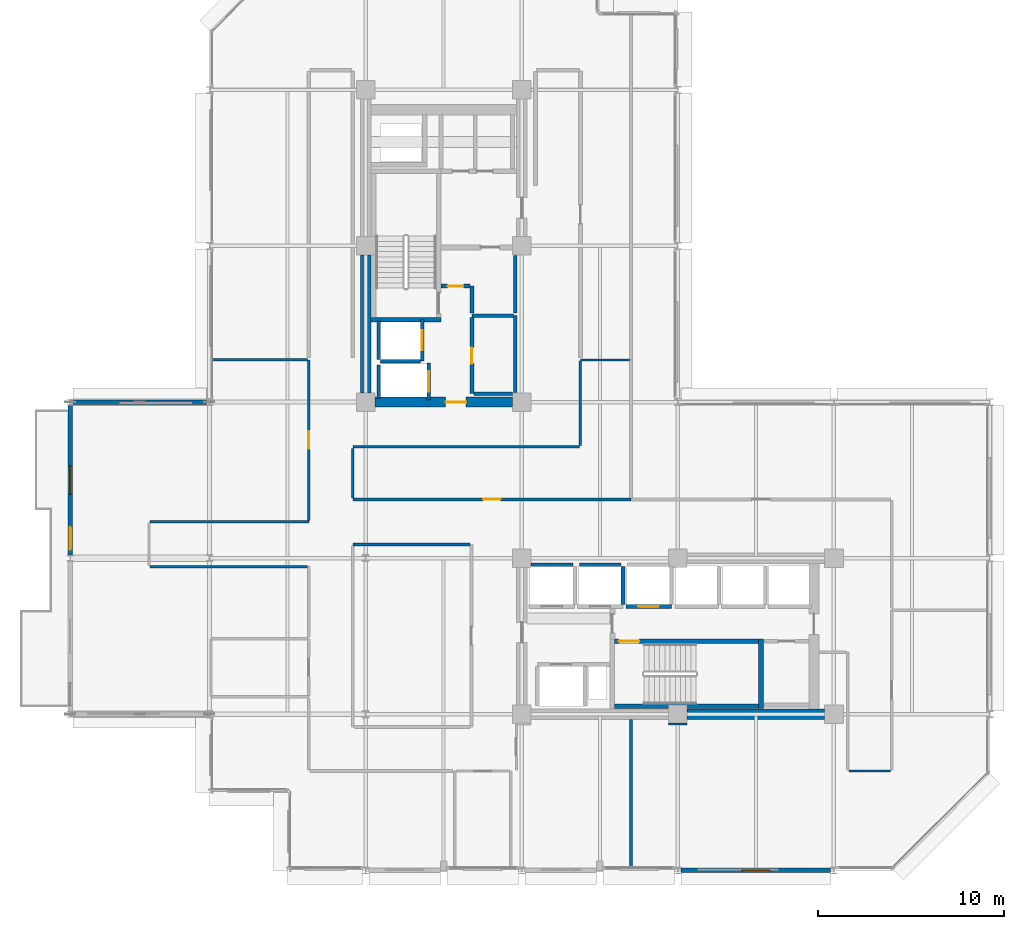
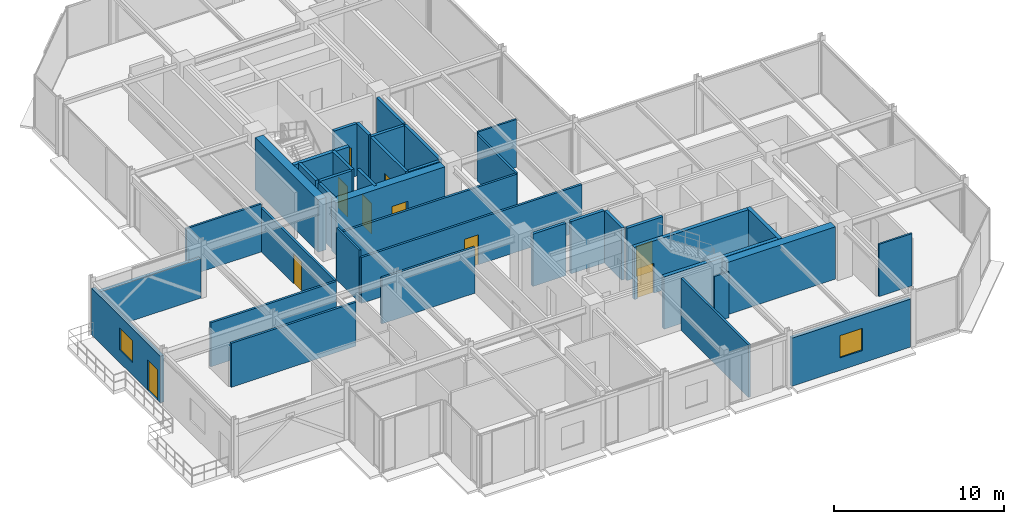
# One storey, part 25 of 30: 39 walls, 10 doors, 2 windows, 12 openings.
"""IFC4 building model written with IfcOpenShell, lengths in metres."""

from ifc_helpers import new_model, si_unit, direction, frame, frame_2d, origin, place, context, subcontext, project, spatial, rectangle, extrude, material, layer, layer_set, type_object, element, fill, save


model = new_model("IFC4")

# Units and contexts
model_context = context("Model", 3, precision=1e-05, world=origin(), true_north=direction((0.0, 1.0)))
body_context = subcontext(model_context, "Body", "Model", "MODEL_VIEW")
ifc_project = project(units=[si_unit("LENGTHUNIT", "METRE"), si_unit("AREAUNIT", "SQUARE_METRE"), si_unit("VOLUMEUNIT", "CUBIC_METRE"), si_unit("PLANEANGLEUNIT", "RADIAN"), si_unit("MASSUNIT", "GRAM", prefix="KILO")], contexts=[model_context])

# Site, building, storey
site_placement = place(None, origin())
site = spatial("IfcSite", under=ifc_project, at=site_placement, CompositionType="ELEMENT")
building_placement = place(site_placement, origin())
building = spatial("IfcBuilding", under=site, at=building_placement, Name="Nerrivon Quay Data Exchange", CompositionType="ELEMENT")
storey_placement = place(building_placement, frame((0.0, 0.0, 216.5)))
storey = spatial("IfcBuildingStorey", under=building, at=storey_placement, Name="L51", CompositionType="ELEMENT", Elevation=216.5)

# Wall, openings, door, window
ifc_material_1 = material(Name="Architectural terracotta precast concrete N50 (50 MPa)", Category="masonry")
ifc_layer_1 = layer(ifc_material_1, 0.239990234375)
ifc_layer_set_1 = layer_set([ifc_layer_1], Name="Architectural terracotta precast concrete N50 (50 MPa)")
wall_type_1 = type_object("IfcWallType", Name="EW-PREC-240", PredefinedType="STANDARD", material=ifc_layer_set_1)
wall_1_placement = place(storey_placement, frame((-7.5, 16.96337890625, 0.0), z_axis=(0.0, 0.0, 1.0), x_axis=(0.0, 1.0, 0.0)))
wall_1 = element("IfcWall", 1, at=wall_1_placement, inside=storey, type_object=wall_type_1, Name="L51 Terrace Host Wall 2", PredefinedType="STANDARD", context=body_context, shape_type="SweptSolid", body=[
    extrude(rectangle(XDim=8.0732421875, YDim=0.239990234375, at=frame_2d((4.03662109375, 0.0))), origin(), (0.0, 0.0, 1.0), 3.346923828125),
])
opening_1_placement = place(wall_1_placement, frame((0.300048828125, 0.0, 0.0)))
opening_1 = element("IfcOpeningElement", 2, at=opening_1_placement, cuts=wall_1, Name="Opening TD1", PredefinedType="OPENING", context=body_context, shape_type="SweptSolid", body=[
    extrude(rectangle(XDim=1.199951171875, YDim=2.199951171875, at=frame_2d((0.60009765625, 1.10009765625))), frame((0.0, 0.1298828125, 0.0), z_axis=(0.0, -1.0, 0.0), x_axis=(1.0, 0.0, 0.0)), (0.0, 0.0, 1.0), 0.260009765625),
])
opening_2_placement = place(wall_1_placement, frame((3.28662109375, 0.0, 0.89990234375)))
opening_2 = element("IfcOpeningElement", 3, at=opening_2_placement, cuts=wall_1, Name="Opening WN4", PredefinedType="OPENING", context=body_context, shape_type="SweptSolid", body=[
    extrude(rectangle(XDim=1.5, YDim=1.60009765625, at=frame_2d((0.75, 0.800048828125))), frame((0.0, 0.1298828125, 0.0), z_axis=(0.0, -1.0, 0.0), x_axis=(1.0, 0.0, 0.0)), (0.0, 0.0, 1.0), 0.260009765625),
])
ifc_material_2 = material(Name="Double-glazed low-E solar control glass", Category="glass")
door_type_1 = type_object("IfcDoorType", Name="DR-TERR-1200x2200", OperationType="NOTDEFINED", PredefinedType="DOOR", material=ifc_material_2)
door_1_placement = place(opening_1_placement, origin())
door_1 = element("IfcDoor", 4, at=door_1_placement, inside=storey, type_object=door_type_1, Name="L51 Outdoor Terrace Access Door 2", OperationType="SINGLE_SWING_LEFT", OverallHeight=2.199951171875, OverallWidth=1.199951171875, PredefinedType="DOOR", context=body_context, shape_type="SweptSolid", body=[
    extrude(rectangle(XDim=1.199951171875, YDim=2.199951171875, at=frame_2d((0.60009765625, 1.10009765625))), frame((0.0, 0.02490234375, 0.0), z_axis=(0.0, -1.0, 0.0), x_axis=(1.0, 0.0, 0.0)), (0.0, 0.0, 1.0), 0.050048828125),
])
fill(opening_1, door_1)
window_type = type_object("IfcWindowType", Name="WIN-W4-1500x1600", PartitioningType="SINGLE_PANEL", PredefinedType="WINDOW", material=ifc_material_2)
window_1_placement = place(opening_2_placement, origin())
window_1 = element("IfcWindow", 5, at=window_1_placement, inside=storey, type_object=window_type, Name="L51 Terrace Side Window 2", OverallHeight=1.60009765625, OverallWidth=1.5, PartitioningType="SINGLE_PANEL", PredefinedType="WINDOW", context=body_context, shape_type="SweptSolid", body=[
    extrude(rectangle(XDim=1.5, YDim=1.60009765625, at=frame_2d((0.75, 0.800048828125))), frame((0.0, 0.030029296875, 0.0), z_axis=(0.0, -1.0, 0.0), x_axis=(1.0, 0.0, 0.0)), (0.0, 0.0, 1.0), 0.06005859375),
])
fill(opening_2, window_1)

# Wall
wall_2_placement = place(storey_placement, frame((-7.344482421875, 25.199951171875, 0.0), z_axis=(0.0, 0.0, 1.0), x_axis=(1.0, 0.0, 0.0)))
element("IfcWall", 6, at=wall_2_placement, inside=storey, type_object=wall_type_1, Name="L51 Plant Enclosure Wall 3", PredefinedType="STANDARD", context=body_context, shape_type="SweptSolid", body=[
    extrude(rectangle(XDim=7.16943359375, YDim=0.239990234375, at=frame_2d((3.584716796875, 0.0))), origin(), (0.0, 0.0, 1.0), 2.840087890625),
])

# Wall, opening, window
wall_3_placement = place(storey_placement, frame((33.425048828125, 0.0, 0.0), z_axis=(0.0, 0.0, 1.0), x_axis=(-1.0, 0.0, 0.0)))
wall_3 = element("IfcWall", 7, at=wall_3_placement, inside=storey, type_object=wall_type_1, Name="L51 Podium Precast Spandrel Wall 23", PredefinedType="STANDARD", context=body_context, shape_type="SweptSolid", body=[
    extrude(rectangle(XDim=8.050048828125, YDim=0.239990234375, at=frame_2d((4.02490234375, 0.0))), origin(), (0.0, 0.0, 1.0), 3.449951171875),
])
opening_3_placement = place(wall_3_placement, frame((3.27490234375, 0.0, 0.89990234375)))
opening_3 = element("IfcOpeningElement", 8, at=opening_3_placement, cuts=wall_3, Name="Opening WN4", PredefinedType="OPENING", context=body_context, shape_type="SweptSolid", body=[
    extrude(rectangle(XDim=1.5, YDim=1.60009765625, at=frame_2d((0.75, 0.800048828125))), frame((0.0, 0.1298828125, 0.0), z_axis=(0.0, -1.0, 0.0), x_axis=(1.0, 0.0, 0.0)), (0.0, 0.0, 1.0), 0.260009765625),
])
window_2_placement = place(opening_3_placement, origin())
window_2 = element("IfcWindow", 9, at=window_2_placement, inside=storey, type_object=window_type, Name="L51 Solar Facade Window 23", OverallHeight=1.60009765625, OverallWidth=1.5, PartitioningType="SINGLE_PANEL", PredefinedType="WINDOW", context=body_context, shape_type="SweptSolid", body=[
    extrude(rectangle(XDim=1.5, YDim=1.60009765625, at=frame_2d((0.75, 0.800048828125))), frame((0.0, 0.030029296875, 0.0), z_axis=(0.0, -1.0, 0.0), x_axis=(1.0, 0.0, 0.0)), (0.0, 0.0, 1.0), 0.06005859375),
])
fill(opening_3, window_2)

# Wall
ifc_material_3 = material(Name="Concrete S65 (65 MPa)", Category="concrete")
ifc_layer_2 = layer(ifc_material_3, 0.550048828125)
ifc_layer_set_2 = layer_set([ifc_layer_2], Name="Concrete S65 (65 MPa)")
wall_type_2 = type_object("IfcWallType", Name="WALL-CW-700", PredefinedType="SHEAR", material=ifc_layer_set_2)
wall_4_placement = place(storey_placement, frame((8.39990234375, 25.699951171875, 0.0), z_axis=(0.0, 0.0, 1.0), x_axis=(0.0, 1.0, 0.0)))
element("IfcWall", 10, at=wall_4_placement, inside=storey, type_object=wall_type_2, Name="L51 West Split-Core Shear Wall WCW-W1", PredefinedType="SHEAR", context=body_context, shape_type="SweptSolid", body=[
    extrude(rectangle(XDim=7.400146484375, YDim=0.550048828125, at=frame_2d((3.7001953125, 0.0))), origin(), (0.0, 0.0, 1.0), 3.75),
])

# Wall, opening, door
wall_5_placement = place(storey_placement, frame((8.89990234375, 25.199951171875, 0.0), z_axis=(0.0, 0.0, 1.0), x_axis=(1.0, 0.0, 0.0)))
wall_5 = element("IfcWall", 11, at=wall_5_placement, inside=storey, type_object=wall_type_2, Name="L51 West Split-Core Shear Wall WCW-S1", PredefinedType="SHEAR", context=body_context, shape_type="SweptSolid", body=[
    extrude(rectangle(XDim=7.400146484375, YDim=0.550048828125, at=frame_2d((3.7001953125, 0.0))), origin(), (0.0, 0.0, 1.0), 3.75),
])
opening_4_placement = place(wall_5_placement, frame((3.800048828125, 0.0, 0.0)))
opening_4 = element("IfcOpeningElement", 12, at=opening_4_placement, cuts=wall_5, Name="Opening FD-120", PredefinedType="OPENING", context=body_context, shape_type="SweptSolid", body=[
    extrude(rectangle(XDim=1.10009765625, YDim=2.14990234375, at=frame_2d((0.550048828125, 1.074951171875))), frame((0.0, 0.284912109375, 0.0), z_axis=(0.0, -1.0, 0.0), x_axis=(1.0, 0.0, 0.0)), (0.0, 0.0, 1.0), 0.570068359375),
])
ifc_material_4 = material(Name="Powder-coated galvanized steel sheet", Category="steel")
door_type_2 = type_object("IfcDoorType", Name="DR-FD120-1100", OperationType="NOTDEFINED", PredefinedType="DOOR", material=ifc_material_4)
door_2_placement = place(opening_4_placement, origin())
door_2 = element("IfcDoor", 13, at=door_2_placement, inside=storey, type_object=door_type_2, Name="L51 West Core Lobby Fire Door", OperationType="SINGLE_SWING_RIGHT", OverallHeight=2.14990234375, OverallWidth=1.10009765625, PredefinedType="DOOR", context=body_context, shape_type="SweptSolid", body=[
    extrude(rectangle(XDim=1.10009765625, YDim=2.14990234375, at=frame_2d((0.550048828125, 1.074951171875))), frame((0.0, 0.02490234375, 0.0), z_axis=(0.0, -1.0, 0.0), x_axis=(1.0, 0.0, 0.0)), (0.0, 0.0, 1.0), 0.050048828125),
])
fill(opening_4, door_2)

# Wall
wall_6_placement = place(storey_placement, frame((25.699951171875, 8.39990234375, 0.0), z_axis=(0.0, 0.0, 1.0), x_axis=(1.0, 0.0, 0.0)))
element("IfcWall", 14, at=wall_6_placement, inside=storey, type_object=wall_type_2, Name="L51 East Split-Core Shear Wall ECW-S2", PredefinedType="SHEAR", context=body_context, shape_type="SweptSolid", body=[
    extrude(rectangle(XDim=7.400146484375, YDim=0.550048828125, at=frame_2d((3.7001953125, 0.0))), origin(), (0.0, 0.0, 1.0), 3.75),
])

# Wall, opening, door
ifc_material_5 = material(Name="Gypsum plasterboard on cold-formed framing", Category="gypsum")
ifc_layer_3 = layer(ifc_material_5, 0.199951171875)
ifc_layer_set_3 = layer_set([ifc_layer_3], Name="Gypsum plasterboard on cold-formed framing")
wall_type_3 = type_object("IfcWallType", Name="WALL-FW-200", PredefinedType="PARTITIONING", material=ifc_layer_set_3)
wall_7_placement = place(storey_placement, frame((11.449951171875, 27.39990234375, 0.0), z_axis=(0.0, 0.0, 1.0), x_axis=(0.0, 1.0, 0.0)))
wall_7 = element("IfcWall", 15, at=wall_7_placement, inside=storey, type_object=wall_type_3, Name="L51 Lift Front Wall FFL-1", PredefinedType="PARTITIONING", context=body_context, shape_type="SweptSolid", body=[
    extrude(rectangle(XDim=2.25, YDim=0.199951171875, at=frame_2d((1.125, 0.0))), origin(), (0.0, 0.0, 1.0), 3.75),
])
opening_5_placement = place(wall_7_placement, frame((0.574951171875, 0.0, 0.0)))
opening_5 = element("IfcOpeningElement", 16, at=opening_5_placement, cuts=wall_7, Name="Opening LD-120", PredefinedType="OPENING", context=body_context, shape_type="SweptSolid", body=[
    extrude(rectangle(XDim=1.10009765625, YDim=2.199951171875, at=frame_2d((0.550048828125, 1.10009765625))), frame((0.0, 0.10986328125, 0.0), z_axis=(0.0, -1.0, 0.0), x_axis=(1.0, 0.0, 0.0)), (0.0, 0.0, 1.0), 0.219970703125),
])
door_type_3 = type_object("IfcDoorType", Name="DR-LIFT-LD120", OperationType="DOUBLE_DOOR_SLIDING", PredefinedType="DOOR", material=ifc_material_4)
door_3_placement = place(opening_5_placement, origin())
door_3 = element("IfcDoor", 17, at=door_3_placement, inside=storey, type_object=door_type_3, Name="L51 Lift Landing Sliding Door FFL-1", OperationType="DOUBLE_DOOR_SLIDING", OverallHeight=2.199951171875, OverallWidth=1.10009765625, PredefinedType="DOOR", context=body_context, shape_type="SweptSolid", body=[
    extrude(rectangle(XDim=1.10009765625, YDim=2.199951171875, at=frame_2d((0.550048828125, 1.10009765625))), frame((0.0, 0.02490234375, 0.0), z_axis=(0.0, -1.0, 0.0), x_axis=(1.0, 0.0, 0.0)), (0.0, 0.0, 1.0), 0.050048828125),
])
fill(opening_5, door_3)

# Walls
wall_8_placement = place(storey_placement, frame((9.10009765625, 27.5, 0.0), z_axis=(0.0, 0.0, 1.0), x_axis=(0.0, 1.0, 0.0)))
element("IfcWall", 18, at=wall_8_placement, inside=storey, type_object=wall_type_3, Name="L51 Lift Shaft Wall FFL-1 WEST", PredefinedType="PARTITIONING", context=body_context, shape_type="SweptSolid", body=[
    extrude(rectangle(XDim=2.050048828125, YDim=0.199951171875, at=frame_2d((1.02490234375, 0.0))), origin(), (0.0, 0.0, 1.0), 3.75),
])
wall_9_placement = place(storey_placement, frame((9.199951171875, 27.39990234375, 0.0), z_axis=(0.0, 0.0, 1.0), x_axis=(1.0, 0.0, 0.0)))
element("IfcWall", 19, at=wall_9_placement, inside=storey, type_object=wall_type_3, Name="L51 Lift Shaft Wall FFL-1 SOUTH", PredefinedType="PARTITIONING", context=body_context, shape_type="SweptSolid", body=[
    extrude(rectangle(XDim=2.150146484375, YDim=0.199951171875, at=frame_2d((1.0751953125, 0.0))), origin(), (0.0, 0.0, 1.0), 3.75),
])

# Wall, opening, door
wall_10_placement = place(storey_placement, frame((11.800048828125, 25.300048828125, 0.0), z_axis=(0.0, 0.0, 1.0), x_axis=(0.0, 1.0, 0.0)))
wall_10 = element("IfcWall", 20, at=wall_10_placement, inside=storey, type_object=wall_type_3, Name="L51 Lift Front Wall SVL-1", PredefinedType="PARTITIONING", context=body_context, shape_type="SweptSolid", body=[
    extrude(rectangle(XDim=2.0, YDim=0.199951171875, at=frame_2d((1.0, 0.0))), origin(), (0.0, 0.0, 1.0), 3.75),
])
opening_6_placement = place(wall_10_placement, frame((0.449951171875, 0.0, 0.0)))
opening_6 = element("IfcOpeningElement", 21, at=opening_6_placement, cuts=wall_10, Name="Opening LD-120", PredefinedType="OPENING", context=body_context, shape_type="SweptSolid", body=[
    extrude(rectangle(XDim=1.10009765625, YDim=2.199951171875, at=frame_2d((0.550048828125, 1.10009765625))), frame((0.0, 0.10986328125, 0.0), z_axis=(0.0, -1.0, 0.0), x_axis=(1.0, 0.0, 0.0)), (0.0, 0.0, 1.0), 0.219970703125),
])
door_4_placement = place(opening_6_placement, origin())
door_4 = element("IfcDoor", 22, at=door_4_placement, inside=storey, type_object=door_type_3, Name="L51 Lift Landing Sliding Door SVL-1", OperationType="DOUBLE_DOOR_SLIDING", OverallHeight=2.199951171875, OverallWidth=1.10009765625, PredefinedType="DOOR", context=body_context, shape_type="SweptSolid", body=[
    extrude(rectangle(XDim=1.10009765625, YDim=2.199951171875, at=frame_2d((0.550048828125, 1.10009765625))), frame((0.0, 0.02490234375, 0.0), z_axis=(0.0, -1.0, 0.0), x_axis=(1.0, 0.0, 0.0)), (0.0, 0.0, 1.0), 0.050048828125),
])
fill(opening_6, door_4)

# Walls
wall_11_placement = place(storey_placement, frame((9.10009765625, 25.39990234375, 0.0), z_axis=(0.0, 0.0, 1.0), x_axis=(0.0, 1.0, 0.0)))
element("IfcWall", 23, at=wall_11_placement, inside=storey, type_object=wall_type_3, Name="L51 Lift Shaft Wall SVL-1 WEST", PredefinedType="PARTITIONING", context=body_context, shape_type="SweptSolid", body=[
    extrude(rectangle(XDim=1.800048828125, YDim=0.199951171875, at=frame_2d((0.89990234375, 0.0))), origin(), (0.0, 0.0, 1.0), 3.75),
])
wall_12_placement = place(storey_placement, frame((17.300048828125, 16.449951171875, 0.0), z_axis=(0.0, 0.0, 1.0), x_axis=(1.0, 0.0, 0.0)))
element("IfcWall", 24, at=wall_12_placement, inside=storey, type_object=wall_type_3, Name="L51 Lift Shaft Wall PL4 NORTH", PredefinedType="PARTITIONING", context=body_context, shape_type="SweptSolid", body=[
    extrude(rectangle(XDim=2.25, YDim=0.199951171875, at=frame_2d((1.125, 0.0))), origin(), (0.0, 0.0, 1.0), 3.75),
])
wall_13_placement = place(storey_placement, frame((22.25, 14.300048828125, 0.0), z_axis=(0.0, 0.0, 1.0), x_axis=(0.0, 1.0, 0.0)))
element("IfcWall", 25, at=wall_13_placement, inside=storey, type_object=wall_type_3, Name="L51 Lift Shaft Wall PL5 EAST", PredefinedType="PARTITIONING", context=body_context, shape_type="SweptSolid", body=[
    extrude(rectangle(XDim=2.050048828125, YDim=0.199951171875, at=frame_2d((1.02490234375, 0.0))), origin(), (0.0, 0.0, 1.0), 3.75),
])
wall_14_placement = place(storey_placement, frame((19.89990234375, 16.449951171875, 0.0), z_axis=(0.0, 0.0, 1.0), x_axis=(1.0, 0.0, 0.0)))
element("IfcWall", 26, at=wall_14_placement, inside=storey, type_object=wall_type_3, Name="L51 Lift Shaft Wall PL5 NORTH", PredefinedType="PARTITIONING", context=body_context, shape_type="SweptSolid", body=[
    extrude(rectangle(XDim=2.25, YDim=0.199951171875, at=frame_2d((1.125, 0.0))), origin(), (0.0, 0.0, 1.0), 3.75),
])

# Wall, opening, door
wall_15_placement = place(storey_placement, frame((22.39990234375, 14.199951171875, 0.0), z_axis=(0.0, 0.0, 1.0), x_axis=(1.0, 0.0, 0.0)))
wall_15 = element("IfcWall", 27, at=wall_15_placement, inside=storey, type_object=wall_type_3, Name="L51 Lift Front Wall PL6", PredefinedType="PARTITIONING", context=body_context, shape_type="SweptSolid", body=[
    extrude(rectangle(XDim=2.4501953125, YDim=0.199951171875, at=frame_2d((1.22509765625, 0.0))), origin(), (0.0, 0.0, 1.0), 3.75),
])
opening_7_placement = place(wall_15_placement, frame((0.675048828125, 0.0, 0.0)))
opening_7 = element("IfcOpeningElement", 28, at=opening_7_placement, cuts=wall_15, Name="Opening LD-120", PredefinedType="OPENING", context=body_context, shape_type="SweptSolid", body=[
    extrude(rectangle(XDim=1.10009765625, YDim=2.199951171875, at=frame_2d((0.550048828125, 1.10009765625))), frame((0.0, 0.10986328125, 0.0), z_axis=(0.0, -1.0, 0.0), x_axis=(1.0, 0.0, 0.0)), (0.0, 0.0, 1.0), 0.219970703125),
])
door_5_placement = place(opening_7_placement, origin())
door_5 = element("IfcDoor", 29, at=door_5_placement, inside=storey, type_object=door_type_3, Name="L51 Lift Landing Sliding Door PL6", OperationType="DOUBLE_DOOR_SLIDING", OverallHeight=2.199951171875, OverallWidth=1.10009765625, PredefinedType="DOOR", context=body_context, shape_type="SweptSolid", body=[
    extrude(rectangle(XDim=1.10009765625, YDim=2.199951171875, at=frame_2d((0.550048828125, 1.10009765625))), frame((0.0, 0.02490234375, 0.0), z_axis=(0.0, -1.0, 0.0), x_axis=(1.0, 0.0, 0.0)), (0.0, 0.0, 1.0), 0.050048828125),
])
fill(opening_7, door_5)

# Walls
wall_16_placement = place(storey_placement, frame((16.449951171875, 25.705078125, 0.0), z_axis=(0.0, 0.0, 1.0), x_axis=(0.0, 1.0, 0.0)))
element("IfcWall", 30, at=wall_16_placement, inside=storey, type_object=wall_type_3, Name="L51 Partition Telemetry Hub Closet", PredefinedType="PARTITIONING", context=body_context, shape_type="SweptSolid", body=[
    extrude(rectangle(XDim=4.14501953125, YDim=0.199951171875, at=frame_2d((2.072509765625, 0.0))), origin(), (0.0, 0.0, 1.0), 3.75),
])
wall_17_placement = place(storey_placement, frame((16.345947265625, 29.85009765625, 0.0), z_axis=(0.0, 0.0, 1.0), x_axis=(-1.0, 0.0, 0.0)))
element("IfcWall", 31, at=wall_17_placement, inside=storey, type_object=wall_type_3, Name="L51 Partition Telemetry Hub Closet", PredefinedType="PARTITIONING", context=body_context, shape_type="SweptSolid", body=[
    extrude(rectangle(XDim=2.225830078125, YDim=0.199951171875, at=frame_2d((1.11279296875, 0.0))), origin(), (0.0, 0.0, 1.0), 3.75),
])

# Wall, opening, door
wall_18_placement = place(storey_placement, frame((14.1201171875, 29.74609375, 0.0), z_axis=(0.0, 0.0, 1.0), x_axis=(0.0, -1.0, 0.0)))
wall_18 = element("IfcWall", 32, at=wall_18_placement, inside=storey, type_object=wall_type_3, Name="L51 Partition Telemetry Hub Closet", PredefinedType="PARTITIONING", context=body_context, shape_type="SweptSolid", body=[
    extrude(rectangle(XDim=4.09619140625, YDim=0.199951171875, at=frame_2d((2.048095703125, 0.0))), origin(), (0.0, 0.0, 1.0), 3.75),
])
opening_8_placement = place(wall_18_placement, frame((1.623046875, 0.0, 0.0)))
opening_8 = element("IfcOpeningElement", 33, at=opening_8_placement, cuts=wall_18, Name="Opening FD-60S", PredefinedType="OPENING", context=body_context, shape_type="SweptSolid", body=[
    extrude(rectangle(XDim=0.85009765625, YDim=2.14990234375, at=frame_2d((0.425048828125, 1.074951171875))), frame((0.0, 0.10986328125, 0.0), z_axis=(0.0, -1.0, 0.0), x_axis=(1.0, 0.0, 0.0)), (0.0, 0.0, 1.0), 0.219970703125),
])
ifc_material_6 = material(Name="Engineered hardwood timber", Category="wood")
door_type_4 = type_object("IfcDoorType", Name="DR-FD60-850", OperationType="NOTDEFINED", PredefinedType="DOOR", material=ifc_material_6)
door_6_placement = place(opening_8_placement, origin())
door_6 = element("IfcDoor", 34, at=door_6_placement, inside=storey, type_object=door_type_4, Name="L51 Door Telemetry Hub Closet", OperationType="SINGLE_SWING_LEFT", OverallHeight=2.14990234375, OverallWidth=0.85009765625, PredefinedType="DOOR", context=body_context, shape_type="SweptSolid", body=[
    extrude(rectangle(XDim=0.85009765625, YDim=2.14990234375, at=frame_2d((0.425048828125, 1.074951171875))), frame((0.0, 0.02490234375, 0.0), z_axis=(0.0, -1.0, 0.0), x_axis=(1.0, 0.0, 0.0)), (0.0, 0.0, 1.0), 0.050048828125),
])
fill(opening_8, door_6)

# Walls
wall_19_placement = place(storey_placement, frame((14.22412109375, 25.64990234375, 0.0), z_axis=(0.0, 0.0, 1.0), x_axis=(1.0, 0.0, 0.0)))
element("IfcWall", 35, at=wall_19_placement, inside=storey, type_object=wall_type_3, Name="L51 Partition Telemetry Hub Closet", PredefinedType="PARTITIONING", context=body_context, shape_type="SweptSolid", body=[
    extrude(rectangle(XDim=2.07080078125, YDim=0.199951171875, at=frame_2d((1.035400390625, 0.0))), origin(), (0.0, 0.0, 1.0), 3.75),
])
wall_20_placement = place(storey_placement, frame((14.1201171875, 31.43994140625, 0.0), z_axis=(0.0, 0.0, 1.0), x_axis=(0.0, -1.0, 0.0)))
element("IfcWall", 36, at=wall_20_placement, inside=storey, type_object=wall_type_3, Name="L51 Partition Core Equipment Store", PredefinedType="PARTITIONING", context=body_context, shape_type="SweptSolid", body=[
    extrude(rectangle(XDim=1.43994140625, YDim=0.199951171875, at=frame_2d((0.719970703125, 0.0))), origin(), (0.0, 0.0, 1.0), 3.75),
])
wall_21_placement = place(storey_placement, frame((16.449951171875, 30.0, 0.0), z_axis=(0.0, 0.0, 1.0), x_axis=(0.0, 1.0, 0.0)))
element("IfcWall", 37, at=wall_21_placement, inside=storey, type_object=wall_type_3, Name="L51 Partition Core Equipment Store", PredefinedType="PARTITIONING", context=body_context, shape_type="SweptSolid", body=[
    extrude(rectangle(XDim=3.094970703125, YDim=0.199951171875, at=frame_2d((1.54736328125, 0.0))), origin(), (0.0, 0.0, 1.0), 3.75),
])

# Wall, opening, door
wall_22_placement = place(storey_placement, frame((12.4541015625, 31.43994140625, 0.0), z_axis=(0.0, 0.0, 1.0), x_axis=(1.0, 0.0, 0.0)))
wall_22 = element("IfcWall", 38, at=wall_22_placement, inside=storey, type_object=wall_type_3, Name="L51 Partition Core Equipment Store", PredefinedType="PARTITIONING", context=body_context, shape_type="SweptSolid", body=[
    extrude(rectangle(XDim=1.56201171875, YDim=0.199951171875, at=frame_2d((0.781005859375, 0.0))), origin(), (0.0, 0.0, 1.0), 3.75),
])
opening_9_placement = place(wall_22_placement, frame((0.35595703125, 0.0, 0.0)))
opening_9 = element("IfcOpeningElement", 39, at=opening_9_placement, cuts=wall_22, Name="Opening FD-60S", PredefinedType="OPENING", context=body_context, shape_type="SweptSolid", body=[
    extrude(rectangle(XDim=0.85009765625, YDim=2.14990234375, at=frame_2d((0.425048828125, 1.074951171875))), frame((0.0, 0.10986328125, 0.0), z_axis=(0.0, -1.0, 0.0), x_axis=(1.0, 0.0, 0.0)), (0.0, 0.0, 1.0), 0.219970703125),
])
door_7_placement = place(opening_9_placement, origin())
door_7 = element("IfcDoor", 40, at=door_7_placement, inside=storey, type_object=door_type_4, Name="L51 Door Core Equipment Store", OperationType="SINGLE_SWING_RIGHT", OverallHeight=2.14990234375, OverallWidth=0.85009765625, PredefinedType="DOOR", context=body_context, shape_type="SweptSolid", body=[
    extrude(rectangle(XDim=0.85009765625, YDim=2.14990234375, at=frame_2d((0.425048828125, 1.074951171875))), frame((0.0, 0.02490234375, 0.0), z_axis=(0.0, -1.0, 0.0), x_axis=(1.0, 0.0, 0.0)), (0.0, 0.0, 1.0), 0.050048828125),
])
fill(opening_9, door_7)

# Walls
ifc_layer_4 = layer(ifc_material_5, 0.1201171875)
ifc_layer_set_4 = layer_set([ifc_layer_4], Name="Gypsum plasterboard on cold-formed framing")
wall_type_4 = type_object("IfcWallType", Name="WALL-PT-120", PredefinedType="PARTITIONING", material=ifc_layer_set_4)
wall_23_placement = place(storey_placement, frame((22.593994140625, 27.46923828125, 0.0), z_axis=(0.0, 0.0, 1.0), x_axis=(-1.0, 0.0, 0.0)))
element("IfcWall", 41, at=wall_23_placement, inside=storey, type_object=wall_type_4, Name="L51 Partition Network Security Control", PredefinedType="PARTITIONING", context=body_context, shape_type="SweptSolid", body=[
    extrude(rectangle(XDim=2.634033203125, YDim=0.1201171875, at=frame_2d((1.31689453125, 0.0))), origin(), (0.0, 0.0, 1.0), 3.443115234375),
])
wall_24_placement = place(storey_placement, frame((7.7099609375, 22.7109375, 0.0), z_axis=(0.0, 0.0, 1.0), x_axis=(0.0, -1.0, 0.0)))
element("IfcWall", 42, at=wall_24_placement, inside=storey, type_object=wall_type_4, Name="L51 Partition Network Security Control", PredefinedType="PARTITIONING", context=body_context, shape_type="SweptSolid", body=[
    extrude(rectangle(XDim=2.671875, YDim=0.1201171875, at=frame_2d((1.3359375, 0.0))), origin(), (0.0, 0.0, 1.0), 3.75),
])
wall_25_placement = place(storey_placement, frame((36.64990234375, 5.340087890625, 0.0), z_axis=(0.0, 0.0, 1.0), x_axis=(-1.0, 0.0, 0.0)))
element("IfcWall", 43, at=wall_25_placement, inside=storey, type_object=wall_type_4, Name="L51 Partition Quiet Reading Room", PredefinedType="PARTITIONING", context=body_context, shape_type="SweptSolid", body=[
    extrude(rectangle(XDim=2.25, YDim=0.1201171875, at=frame_2d((1.125, 0.0))), origin(), (0.0, 0.0, 1.0), 3.75),
])
wall_26_placement = place(storey_placement, frame((25.703857421875, 7.88037109375, 0.0), z_axis=(0.0, 0.0, 1.0), x_axis=(-0.999999881717, -0.000486381265, 0.0)))
element("IfcWall", 44, at=wall_26_placement, inside=storey, type_object=wall_type_4, Name="L51 Partition Quiet Reading Room", PredefinedType="PARTITIONING", context=body_context, shape_type="SweptSolid", body=[
    extrude(rectangle(XDim=1.00390625, YDim=0.1201171875, at=frame_2d((0.501953125, 0.0))), origin(), (0.0, 0.0, 1.0), 3.2958984375),
])
ifc_layer_5 = layer(ifc_material_5, 0.135009765625)
ifc_layer_set_5 = layer_set([ifc_layer_5], Name="Gypsum plasterboard on cold-formed framing")
wall_type_5 = type_object("IfcWallType", Name="WALL-PT-135", PredefinedType="PARTITIONING", material=ifc_layer_set_5)
wall_27_placement = place(storey_placement, frame((19.9599609375, 27.4052734375, 0.0), z_axis=(0.0, 0.0, 1.0), x_axis=(0.0, -1.0, 0.0)))
element("IfcWall", 45, at=wall_27_placement, inside=storey, type_object=wall_type_5, Name="L51 Partition Network Security Control", PredefinedType="PARTITIONING", context=body_context, shape_type="SweptSolid", body=[
    extrude(rectangle(XDim=4.55517578125, YDim=0.135009765625, at=frame_2d((2.277587890625, 0.0))), origin(), (0.0, 0.0, 1.0), 3.2900390625),
])
wall_28_placement = place(storey_placement, frame((5.260986328125, 27.46923828125, 0.0), z_axis=(0.0, 0.0, 1.0), x_axis=(-1.0, 0.0, 0.0)))
element("IfcWall", 46, at=wall_28_placement, inside=storey, type_object=wall_type_5, Name="L51 Partition Technical Library", PredefinedType="PARTITIONING", context=body_context, shape_type="SweptSolid", body=[
    extrude(rectangle(XDim=5.092041015625, YDim=0.135009765625, at=frame_2d((2.5458984375, 0.0))), origin(), (0.0, 0.0, 1.0), 3.443115234375),
])
ifc_layer_6 = layer(ifc_material_5, 0.14990234375)
ifc_layer_set_6 = layer_set([ifc_layer_6], Name="Gypsum plasterboard on cold-formed framing")
wall_type_6 = type_object("IfcWallType", Name="WALL-PT-150", PredefinedType="PARTITIONING", material=ifc_layer_set_6)
wall_29_placement = place(storey_placement, frame((22.673095703125, 0.1689453125, 0.0), z_axis=(0.0, 0.0, 1.0), x_axis=(0.0, 1.0, 0.0)))
element("IfcWall", 47, at=wall_29_placement, inside=storey, type_object=wall_type_6, Name="L51 Partition Staff Pantry", PredefinedType="PARTITIONING", context=body_context, shape_type="SweptSolid", body=[
    extrude(rectangle(XDim=7.9521484375, YDim=0.14990234375, at=frame_2d((3.97607421875, 0.0))), origin(), (0.0, 0.0, 1.0), 3.75),
])

# Wall, opening, door
wall_30_placement = place(storey_placement, frame((7.7099609375, 19.9599609375, 0.0), z_axis=(0.0, 0.0, 1.0), x_axis=(1.0, 0.0, 0.0)))
wall_30 = element("IfcWall", 48, at=wall_30_placement, inside=storey, type_object=wall_type_6, Name="L51 Partition Network Security Control", PredefinedType="PARTITIONING", context=body_context, shape_type="SweptSolid", body=[
    extrude(rectangle(XDim=14.963134765625, YDim=0.14990234375, at=frame_2d((7.4814453125, 0.0))), origin(), (0.0, 0.0, 1.0), 3.2958984375),
])
opening_10_placement = place(wall_30_placement, frame((7.006591796875, 0.0, 0.0)))
opening_10 = element("IfcOpeningElement", 49, at=opening_10_placement, cuts=wall_30, Name="Opening D-01", PredefinedType="OPENING", context=body_context, shape_type="SweptSolid", body=[
    extrude(rectangle(XDim=0.949951171875, YDim=2.14990234375, at=frame_2d((0.47509765625, 1.074951171875))), frame((0.0, 0.0849609375, 0.0), z_axis=(0.0, -1.0, 0.0), x_axis=(1.0, 0.0, 0.0)), (0.0, 0.0, 1.0), 0.169921875),
])
door_type_5 = type_object("IfcDoorType", Name="DR-INT-950", OperationType="NOTDEFINED", PredefinedType="DOOR", material=ifc_material_6)
door_8_placement = place(opening_10_placement, origin())
door_8 = element("IfcDoor", 50, at=door_8_placement, inside=storey, type_object=door_type_5, Name="L51 Door Network Security Control", OperationType="SINGLE_SWING_LEFT", OverallHeight=2.14990234375, OverallWidth=0.949951171875, PredefinedType="DOOR", context=body_context, shape_type="SweptSolid", body=[
    extrude(rectangle(XDim=0.949951171875, YDim=2.14990234375, at=frame_2d((0.47509765625, 1.074951171875))), frame((0.0, 0.02490234375, 0.0), z_axis=(0.0, -1.0, 0.0), x_axis=(1.0, 0.0, 0.0)), (0.0, 0.0, 1.0), 0.050048828125),
])
fill(opening_10, door_8)

# Walls
wall_31_placement = place(storey_placement, frame((19.89990234375, 22.7900390625, 0.0), z_axis=(0.0, 0.0, 1.0), x_axis=(-1.0, 0.0, 0.0)))
element("IfcWall", 51, at=wall_31_placement, inside=storey, type_object=wall_type_6, Name="L51 Partition Network Security Control", PredefinedType="PARTITIONING", context=body_context, shape_type="SweptSolid", body=[
    extrude(rectangle(XDim=12.18994140625, YDim=0.14990234375, at=frame_2d((6.094970703125, 0.0))), origin(), (0.0, 0.0, 1.0), 3.2958984375),
])
wall_32_placement = place(storey_placement, frame((14.010986328125, 17.5400390625, 0.0), z_axis=(0.0, 0.0, 1.0), x_axis=(-1.0, 0.0, 0.0)))
element("IfcWall", 52, at=wall_32_placement, inside=storey, type_object=wall_type_6, Name="L51 Partition Mail and Crew Room", PredefinedType="PARTITIONING", context=body_context, shape_type="SweptSolid", body=[
    extrude(rectangle(XDim=6.301025390625, YDim=0.14990234375, at=frame_2d((3.150390625, 0.0))), origin(), (0.0, 0.0, 1.0), 3.2958984375),
])
wall_33_placement = place(storey_placement, frame((5.2685546875, 16.340087890625, 0.0), z_axis=(0.0, 0.0, 1.0), x_axis=(-1.0, 0.0, 0.0)))
element("IfcWall", 53, at=wall_33_placement, inside=storey, type_object=wall_type_6, Name="L51 Partition Technical Library", PredefinedType="PARTITIONING", context=body_context, shape_type="SweptSolid", body=[
    extrude(rectangle(XDim=8.468505859375, YDim=0.14990234375, at=frame_2d((4.234375, 0.0))), origin(), (0.0, 0.0, 1.0), 3.14794921875),
])
wall_34_placement = place(storey_placement, frame((-3.199951171875, 18.760009765625, 0.0), z_axis=(0.0, 0.0, 1.0), x_axis=(1.0, 0.0, 0.0)))
element("IfcWall", 54, at=wall_34_placement, inside=storey, type_object=wall_type_6, Name="L51 Partition Technical Library", PredefinedType="PARTITIONING", context=body_context, shape_type="SweptSolid", body=[
    extrude(rectangle(XDim=8.5400390625, YDim=0.14990234375, at=frame_2d((4.27001953125, 0.0))), origin(), (0.0, 0.0, 1.0), 3.14794921875),
])

# Wall, opening, door
wall_35_placement = place(storey_placement, frame((5.340087890625, 18.839111328125, 0.0), z_axis=(0.0, 0.0, 1.0), x_axis=(0.0, 1.0, 0.0)))
wall_35 = element("IfcWall", 55, at=wall_35_placement, inside=storey, type_object=wall_type_6, Name="L51 Partition Technical Library", PredefinedType="PARTITIONING", context=body_context, shape_type="SweptSolid", body=[
    extrude(rectangle(XDim=8.630126953125, YDim=0.14990234375, at=frame_2d((4.31494140625, 0.0))), origin(), (0.0, 0.0, 1.0), 3.137939453125),
])
opening_11_placement = place(wall_35_placement, frame((3.840087890625, 0.0, 0.0)))
opening_11 = element("IfcOpeningElement", 56, at=opening_11_placement, cuts=wall_35, Name="Opening D-01", PredefinedType="OPENING", context=body_context, shape_type="SweptSolid", body=[
    extrude(rectangle(XDim=0.949951171875, YDim=2.14990234375, at=frame_2d((0.47509765625, 1.074951171875))), frame((0.0, 0.0849609375, 0.0), z_axis=(0.0, -1.0, 0.0), x_axis=(1.0, 0.0, 0.0)), (0.0, 0.0, 1.0), 0.169921875),
])
door_9_placement = place(opening_11_placement, origin())
door_9 = element("IfcDoor", 57, at=door_9_placement, inside=storey, type_object=door_type_5, Name="L51 Door Technical Library", OperationType="SINGLE_SWING_LEFT", OverallHeight=2.14990234375, OverallWidth=0.949951171875, PredefinedType="DOOR", context=body_context, shape_type="SweptSolid", body=[
    extrude(rectangle(XDim=0.949951171875, YDim=2.14990234375, at=frame_2d((0.47509765625, 1.074951171875))), frame((0.0, 0.02490234375, 0.0), z_axis=(0.0, -1.0, 0.0), x_axis=(1.0, 0.0, 0.0)), (0.0, 0.0, 1.0), 0.050048828125),
])
fill(opening_11, door_9)

# Walls
ifc_material_7 = material(Name="Concrete N50 (50 MPa)", Category="concrete")
ifc_layer_7 = layer(ifc_material_7, 0.25)
ifc_layer_set_7 = layer_set([ifc_layer_7], Name="Concrete N50 (50 MPa)")
wall_type_7 = type_object("IfcWallType", Name="WALL-SW-250", PredefinedType="SHEAR", material=ifc_layer_set_7)
for number, where, z_axis, x_axis, name in (
    (58, (12.449951171875, 29.625, 0.0), (0.0, 0.0, 1.0), (-1.0, 0.0, 0.0), "L51 ST01 Structural Stair Core Wall NEAR"),
    (59, (29.675048828125, 8.699951171875, 0.0), (0.0, 0.0, 1.0), (0.0, 1.0, 0.0), "L51 ST02 Structural Stair Core Wall FAR"),
):
    element("IfcWall", number, at=place(storey_placement, frame(where, z_axis=z_axis, x_axis=x_axis)), inside=storey, type_object=wall_type_7, Name=name, PredefinedType="SHEAR", context=body_context, shape_type="SweptSolid", body=[
        extrude(rectangle(XDim=3.75, YDim=0.25, at=frame_2d((1.875, 0.0))), origin(), (0.0, 0.0, 1.0), 3.75),
    ])
wall_36_placement = place(storey_placement, frame((21.800048828125, 8.824951171875, 0.0), z_axis=(0.0, 0.0, 1.0), x_axis=(1.0, 0.0, 0.0)))
element("IfcWall", 60, at=wall_36_placement, inside=storey, type_object=wall_type_7, Name="L51 ST02 Structural Stair Core Wall LEFT", PredefinedType="SHEAR", context=body_context, shape_type="SweptSolid", body=[
    extrude(rectangle(XDim=7.75, YDim=0.25, at=frame_2d((3.875, 0.0))), origin(), (0.0, 0.0, 1.0), 3.75),
])

# Wall, opening, door
wall_37_placement = place(storey_placement, frame((21.800048828125, 12.324951171875, 0.0), z_axis=(0.0, 0.0, 1.0), x_axis=(1.0, 0.0, 0.0)))
wall_37 = element("IfcWall", 61, at=wall_37_placement, inside=storey, type_object=wall_type_7, Name="L51 ST02 Structural Stair Core Wall RIGHT", PredefinedType="SHEAR", context=body_context, shape_type="SweptSolid", body=[
    extrude(rectangle(XDim=7.75, YDim=0.25, at=frame_2d((3.875, 0.0))), origin(), (0.0, 0.0, 1.0), 3.75),
])
opening_12_placement = place(wall_37_placement, frame((0.219970703125, 0.0, 0.0)))
opening_12 = element("IfcOpeningElement", 62, at=opening_12_placement, cuts=wall_37, Name="Opening FD-120", PredefinedType="OPENING", context=body_context, shape_type="SweptSolid", body=[
    extrude(rectangle(XDim=1.10009765625, YDim=2.14990234375, at=frame_2d((0.550048828125, 1.074951171875))), frame((0.0, 0.135009765625, 0.0), z_axis=(0.0, -1.0, 0.0), x_axis=(1.0, 0.0, 0.0)), (0.0, 0.0, 1.0), 0.27001953125),
])
door_10_placement = place(opening_12_placement, origin())
door_10 = element("IfcDoor", 63, at=door_10_placement, inside=storey, type_object=door_type_2, Name="L51 Protected Stair Door ST02", OperationType="SINGLE_SWING_RIGHT", OverallHeight=2.14990234375, OverallWidth=1.10009765625, PredefinedType="DOOR", context=body_context, shape_type="SweptSolid", body=[
    extrude(rectangle(XDim=1.10009765625, YDim=2.14990234375, at=frame_2d((0.550048828125, 1.074951171875))), frame((0.0, 0.02490234375, 0.0), z_axis=(0.0, -1.0, 0.0), x_axis=(1.0, 0.0, 0.0)), (0.0, 0.0, 1.0), 0.050048828125),
])
fill(opening_12, door_10)

save(model, "model.ifc")
